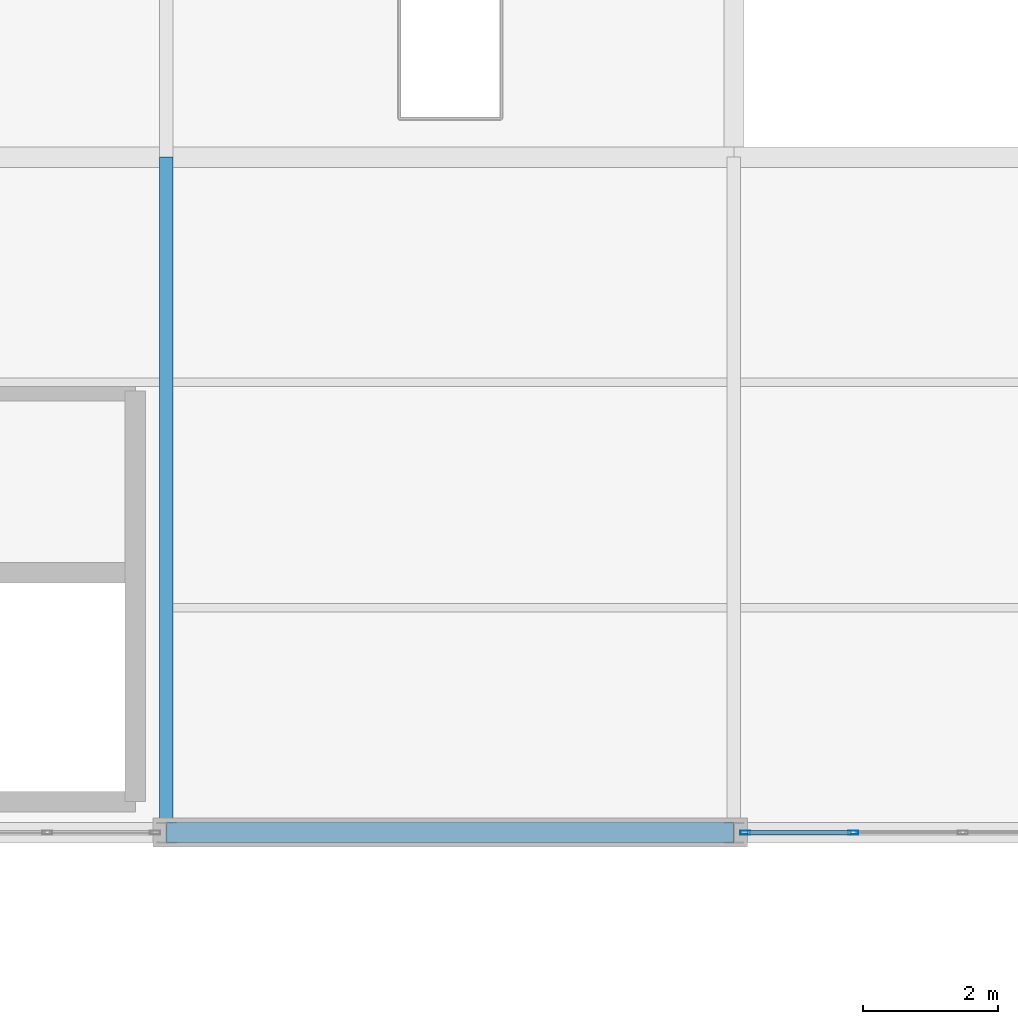
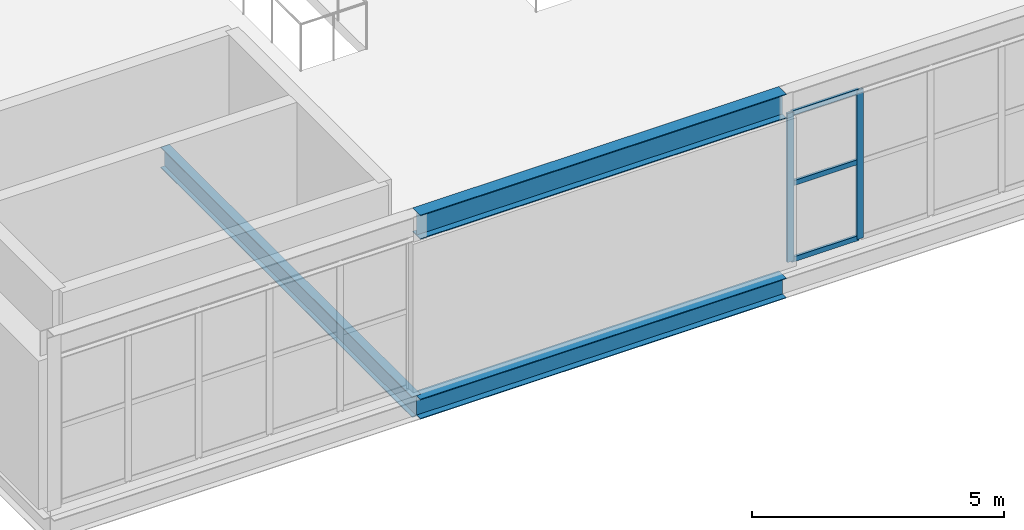
# One storey, part 89 of 218: 5 members, 3 beams, 1 element without a shape of its own.
"""IFC4 building model written with IfcOpenShell, lengths in metres."""

from ifc_helpers import new_model, si_unit, direction, frame, origin, origin_2d, place, context, subcontext, project, spatial, hollow_rectangle, i_section, extrude, material, material_profile, profile_set, type_object, element, aggregate, save


model = new_model("IFC4")

# Units and contexts
model_context = context("Model", 3, precision=1e-05, world=origin(), true_north=direction((0.0, 1.0)))
body_context = subcontext(model_context, "Body", "Model", "MODEL_VIEW")
ifc_project = project(units=[si_unit("LENGTHUNIT", "METRE"), si_unit("AREAUNIT", "SQUARE_METRE"), si_unit("VOLUMEUNIT", "CUBIC_METRE"), si_unit("PLANEANGLEUNIT", "RADIAN"), si_unit("MASSUNIT", "GRAM", prefix="KILO")], contexts=[model_context])

# Site, building, storey
site_placement = place(None, origin())
site = spatial("IfcSite", under=ifc_project, at=site_placement, CompositionType="ELEMENT")
building_placement = place(site_placement, origin())
building = spatial("IfcBuilding", under=site, at=building_placement, Name="Kazenagashi Tramway Depot", CompositionType="ELEMENT")
storey_placement = place(building_placement, frame((0.0, 0.0, 6.0)))
storey = spatial("IfcBuildingStorey", under=building, at=storey_placement, Name="L02", CompositionType="ELEMENT", Elevation=6.0)

# Beam
ifc_material_1 = material(Name="Steel SN490B", Category="steel")
ifc_material_profile_1 = material_profile(ifc_material_1, i_section(OverallWidth=0.2, OverallDepth=0.5, WebThickness=0.01, FlangeThickness=0.016, at=origin_2d()), Name="H-500x200x10x16")
ifc_profile_set_1 = profile_set([ifc_material_profile_1], Name="Steel SN490B")
beam_type_1 = type_object("IfcBeamType", Name="G-05", PredefinedType="BEAM", material=ifc_profile_set_1)
beam_1_placement = place(storey_placement, frame((53.2, 70.0, -0.515), z_axis=(0.0, 1.0, 0.0), x_axis=(-1.0, 0.0, 0.0)))
element("IfcBeam", 1, at=beam_1_placement, inside=storey, type_object=beam_type_1, Name="Beam G-05 BM-1739", PredefinedType="BEAM", context=body_context, shape_type="SweptSolid", body=[
    extrude(i_section(OverallWidth=0.2, OverallDepth=0.5, WebThickness=0.01, FlangeThickness=0.016, at=origin_2d()), origin(), (0.0, 0.0, 1.0), 10.0),
])

# Curtain wall, members
ifc_material_2 = material(Name="Anodised Aluminium and Low-E Glazing", Category="aluminium")
curtain_wall_type = type_object("IfcCurtainWallType", Name="CW-11", PredefinedType="USERDEFINED", material=ifc_material_2)
curtain_wall_placement = place(storey_placement, origin())
curtain_wall = element("IfcCurtainWall", 2, at=curtain_wall_placement, inside=storey, type_object=curtain_wall_type, Name="Industrial Glazed Screen CW-11 CW-0020", ObjectType="GLAZED SCREEN", PredefinedType="USERDEFINED")
ifc_material_3 = material(Name="Anodised Aluminium", Category="aluminium")
ifc_material_profile_2 = material_profile(ifc_material_3, hollow_rectangle(XDim=0.06, YDim=0.15, WallThickness=0.004, at=origin_2d()), Name="RHS-150x60x4")
ifc_profile_set_2 = profile_set([ifc_material_profile_2], Name="Anodised Aluminium")
member_type_1 = type_object("IfcMemberType", Name="ML-01", PredefinedType="MULLION", material=ifc_profile_set_2)
member_1_placement = place(storey_placement, frame((61.77, 70.0, 0.0), z_axis=(0.0, 0.0, 1.0), x_axis=(0.0, 1.0, 0.0)))
member_1 = element("IfcMember", 3, at=member_1_placement, type_object=member_type_1, Name="CW-11 mullion 1", PredefinedType="MULLION", context=body_context, shape_type="SweptSolid", body=[
    extrude(hollow_rectangle(XDim=0.06, YDim=0.15, WallThickness=0.004, at=origin_2d()), origin(), (0.0, 0.0, 1.0), 3.612),
])
member_2_placement = place(storey_placement, frame((63.364, 70.0, 0.0), z_axis=(0.0, 0.0, 1.0), x_axis=(0.0, 1.0, 0.0)))
member_2 = element("IfcMember", 4, at=member_2_placement, type_object=member_type_1, Name="CW-11 mullion 2", PredefinedType="MULLION", context=body_context, shape_type="SweptSolid", body=[
    extrude(hollow_rectangle(XDim=0.06, YDim=0.15, WallThickness=0.004, at=origin_2d()), origin(), (0.0, 0.0, 1.0), 3.612),
])

# Beams
ifc_material_profile_3 = material_profile(ifc_material_1, i_section(OverallWidth=0.3, OverallDepth=0.588, WebThickness=0.012, FlangeThickness=0.02, at=origin_2d()), Name="H-588x300x12x20")
ifc_profile_set_3 = profile_set([ifc_material_profile_3], Name="Steel SN490B")
beam_type_2 = type_object("IfcBeamType", Name="SP-01", PredefinedType="SPANDREL", material=ifc_profile_set_3)
beam_2_placement = place(storey_placement, frame((53.2, 70.0, 3.906), z_axis=(1.0, 0.0, 0.0), x_axis=(0.0, 1.0, 0.0)))
element("IfcBeam", 5, at=beam_2_placement, inside=storey, type_object=beam_type_2, Name="Beam SP-01 BM-1845", PredefinedType="SPANDREL", context=body_context, shape_type="SweptSolid", body=[
    extrude(i_section(OverallWidth=0.3, OverallDepth=0.588, WebThickness=0.012, FlangeThickness=0.02, at=origin_2d()), origin(), (0.0, 0.0, 1.0), 8.4),
])
ifc_material_profile_4 = material_profile(ifc_material_1, i_section(OverallWidth=0.3, OverallDepth=0.488, WebThickness=0.011, FlangeThickness=0.018, at=origin_2d()), Name="H-488x300x11x18")
ifc_profile_set_4 = profile_set([ifc_material_profile_4], Name="Steel SN490B")
beam_type_3 = type_object("IfcBeamType", Name="SP-02", PredefinedType="SPANDREL", material=ifc_profile_set_4)
beam_3_placement = place(storey_placement, frame((53.2, 70.0, -0.509), z_axis=(1.0, 0.0, 0.0), x_axis=(0.0, 1.0, 0.0)))
element("IfcBeam", 6, at=beam_3_placement, inside=storey, type_object=beam_type_3, Name="Beam SP-02 BM-1702", PredefinedType="SPANDREL", context=body_context, shape_type="SweptSolid", body=[
    extrude(i_section(OverallWidth=0.3, OverallDepth=0.488, WebThickness=0.011, FlangeThickness=0.018, at=origin_2d()), origin(), (0.0, 0.0, 1.0), 8.4),
])

# Member
ifc_material_profile_5 = material_profile(ifc_material_3, hollow_rectangle(XDim=0.06, YDim=0.12, WallThickness=0.004, at=origin_2d()), Name="RHS-120x60x4")
ifc_profile_set_5 = profile_set([ifc_material_profile_5], Name="Anodised Aluminium")
member_type_2 = type_object("IfcMemberType", Name="TR-01", PredefinedType="USERDEFINED", material=ifc_profile_set_5)
member_3_placement = place(storey_placement, frame((61.8, 70.0, 0.03), z_axis=(1.0, 0.0, 0.0), x_axis=(0.0, 1.0, 0.0)))
member_3 = element("IfcMember", 7, at=member_3_placement, type_object=member_type_2, Name="CW-11 transom 1.1", ObjectType="TRANSOM", PredefinedType="USERDEFINED", context=body_context, shape_type="SweptSolid", body=[
    extrude(hollow_rectangle(XDim=0.06, YDim=0.12, WallThickness=0.004, at=origin_2d()), origin(), (0.0, 0.0, 1.0), 1.534),
])

member_4_placement = place(storey_placement, frame((61.8, 70.0, 1.878), z_axis=(1.0, 0.0, 0.0), x_axis=(0.0, 1.0, 0.0)))
member_4 = element("IfcMember", 8, at=member_4_placement, type_object=member_type_2, Name="CW-11 transom 1.2", ObjectType="TRANSOM", PredefinedType="USERDEFINED", context=body_context, shape_type="SweptSolid", body=[
    extrude(hollow_rectangle(XDim=0.06, YDim=0.12, WallThickness=0.004, at=origin_2d()), origin(), (0.0, 0.0, 1.0), 1.534),
])

member_5_placement = place(storey_placement, frame((61.8, 70.0, 3.582), z_axis=(1.0, 0.0, 0.0), x_axis=(0.0, 1.0, 0.0)))
member_5 = element("IfcMember", 9, at=member_5_placement, type_object=member_type_2, Name="CW-11 transom 1.3", ObjectType="TRANSOM", PredefinedType="USERDEFINED", context=body_context, shape_type="SweptSolid", body=[
    extrude(hollow_rectangle(XDim=0.06, YDim=0.12, WallThickness=0.004, at=origin_2d()), origin(), (0.0, 0.0, 1.0), 1.534),
])

aggregate(curtain_wall, [member_1, member_2, member_3, member_4, member_5])

save(model, "model.ifc")
